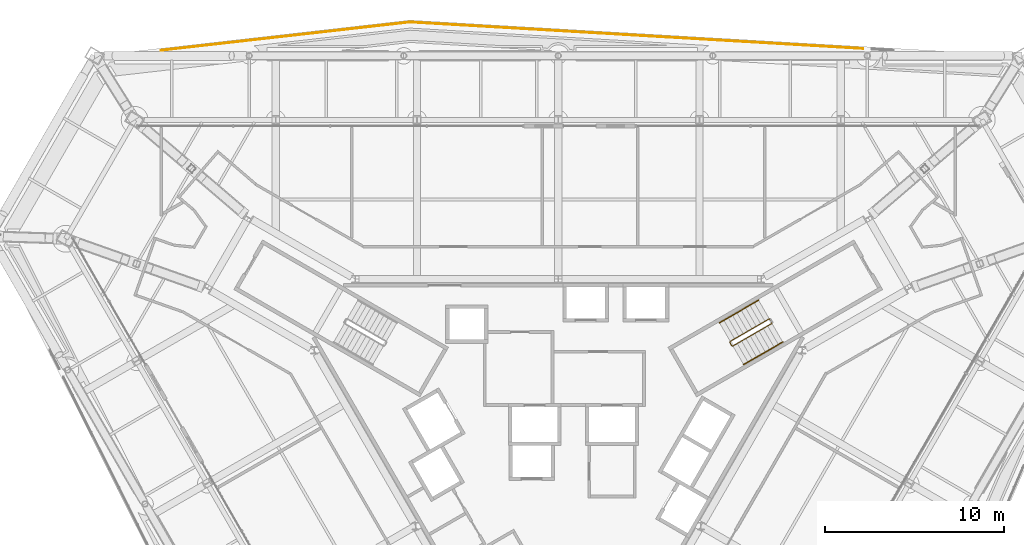
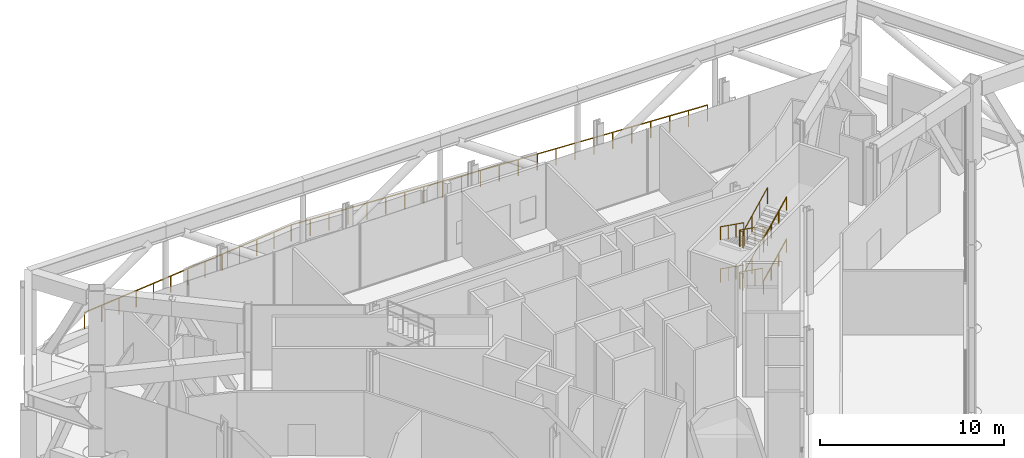
# One storey, part 25 of 26: 6 railings.
"""IFC4 building model written with IfcOpenShell, lengths in metres."""

import ifcopenshell
import ifcopenshell.guid

model = None  # the IFC model being written
_history = None  # IfcOwnerHistory: only IFC2X3 demands one
_inside = {}  # id of a spatial element -> (the spatial element, [elements in it])
_under = {}  # id of a project, library or spatial element -> (it, [spatial elements below it])
_declared = {}  # id of a project -> (the project, [libraries it declares])
_typed = {}  # id of a type object -> (the type object, [elements of that type])
_made_of = {}  # id of a material, layer set ... -> (it, [elements and type objects made of it])


def new_model(schema):
    """Start an empty IFC model of exactly this schema.

    Asked for "IFC4X3", IfcOpenShell would pick the latest addendum, in which some entities
    have other attributes; the version numbers below select the first issue.
    IFC2X3 requires an IfcOwnerHistory on every rooted entity: one is made here for all.
    """
    global model, _history
    if schema == "IFC4X3":
        model = ifcopenshell.file(schema_version=(4, 3, 0, 0))
    else:
        model = ifcopenshell.file(schema=schema)
    _inside.clear()
    _under.clear()
    _declared.clear()
    _typed.clear()
    _made_of.clear()
    _history = None
    if model.schema == "IFC2X3":
        org = make("IfcOrganization", Name="unknown")
        user = make(
            "IfcPersonAndOrganization",
            ThePerson=make("IfcPerson", FamilyName="unknown"),
            TheOrganization=org,
        )
        app = make(
            "IfcApplication",
            ApplicationDeveloper=org,
            Version="unknown",
            ApplicationFullName="unknown",
            ApplicationIdentifier="unknown",
        )
        _history = make(
            "IfcOwnerHistory",
            OwningUser=user,
            OwningApplication=app,
            ChangeAction="ADDED",
            CreationDate=0,
        )
    return model


def make(cls, **values):
    """One entity of the class cls with the attributes given. An attribute that is None is left unset."""
    return model.create_entity(
        cls, **{name: value for name, value in values.items() if value is not None}
    )


def rooted(cls, **values):
    """An entity with a GlobalId (a new one), such as an element, a storey or a relation."""
    return make(cls, GlobalId=ifcopenshell.guid.new(), OwnerHistory=_history, **values)


def si_unit(unit_type, name, prefix=None):
    """IfcSIUnit, for example si_unit("LENGTHUNIT", "METRE", prefix="MILLI")."""
    return make("IfcSIUnit", UnitType=unit_type, Prefix=prefix, Name=name)


def assignment(units):
    """IfcUnitAssignment: the units of a project."""
    return None if units is None else make("IfcUnitAssignment", Units=units)


def point(xyz):
    """IfcCartesianPoint."""
    return None if xyz is None else make("IfcCartesianPoint", Coordinates=xyz)


def direction(xyz):
    """IfcDirection."""
    return None if xyz is None else make("IfcDirection", DirectionRatios=xyz)


def frame(location, z_axis=None, x_axis=None):
    """IfcAxis2Placement3D, a coordinate frame: its origin and axes. An axis left out is left unset."""
    return make(
        "IfcAxis2Placement3D",
        Location=point(location),
        Axis=direction(z_axis),
        RefDirection=direction(x_axis),
    )


def frame_2d(location, x_axis=None):
    """IfcAxis2Placement2D, a coordinate frame in the plane: its origin and x axis."""
    return make(
        "IfcAxis2Placement2D", Location=point(location), RefDirection=direction(x_axis)
    )


def origin():
    """The frame at (0, 0, 0) with its axes left unset."""
    return frame((0.0, 0.0, 0.0))


def origin_2d():
    """The frame at (0, 0) in the plane with its x axis left unset."""
    return frame_2d((0.0, 0.0))


def place(relative_to, where):
    """IfcLocalPlacement: puts the frame where relative to a parent placement (None: the world)."""
    return make(
        "IfcLocalPlacement", PlacementRelTo=relative_to, RelativePlacement=where
    )


def context(
    kind, dimensions, precision=None, world=None, true_north=None, identifier=None
):
    """IfcGeometricRepresentationContext, for example the 3D "Model" context."""
    return make(
        "IfcGeometricRepresentationContext",
        ContextIdentifier=identifier,
        ContextType=kind,
        CoordinateSpaceDimension=dimensions,
        Precision=precision,
        WorldCoordinateSystem=world,
        TrueNorth=true_north,
    )


def subcontext(parent, identifier, kind, view, scale=None):
    """IfcGeometricRepresentationSubContext, for example "Body" below "Model"."""
    return make(
        "IfcGeometricRepresentationSubContext",
        ContextIdentifier=identifier,
        ContextType=kind,
        ParentContext=parent,
        TargetScale=scale,
        TargetView=view,
    )


def project(units=None, contexts=None):
    """IfcProject with its units and contexts."""
    return rooted(
        "IfcProject",
        Name="project",
        RepresentationContexts=contexts,
        UnitsInContext=assignment(units),
    )


def spatial(cls, under=None, at=None, **own):
    """A site, building, storey or space (cls), placed at a placement, below another one or the project."""
    s = rooted(cls, ObjectPlacement=at, **own)
    if under is not None:
        _under.setdefault(under.id(), (under, []))[1].append(s)
    return s


def profile(cls, at=None, kind="AREA", **sizes):
    """A parametric profile (cls). Its sizes go by their IFC names, for example OverallWidth=200.0."""
    return make(cls, ProfileType=kind, Position=at, **sizes)


def circle(**sizes):
    """IfcCircleProfileDef."""
    return profile("IfcCircleProfileDef", **sizes)


def extrude(swept, where, along, depth):
    """IfcExtrudedAreaSolid: the profile swept, set in the frame where, extruded along a direction by depth."""
    return make(
        "IfcExtrudedAreaSolid",
        SweptArea=swept,
        Position=where,
        ExtrudedDirection=direction(along),
        Depth=depth,
    )


def shape(context_of_items, identifier, shape_type, items):
    """IfcShapeRepresentation: the items that make up one representation, for example the "Body"."""
    return make(
        "IfcShapeRepresentation",
        ContextOfItems=context_of_items,
        RepresentationIdentifier=identifier,
        RepresentationType=shape_type,
        Items=items,
    )


def material(Name=None, Category=None):
    """IfcMaterial."""
    return make("IfcMaterial", Name=Name, Category=Category)


def made_of(thing, what):
    """Note that an element or type object is made of a material, layer set ...; save() writes the relation."""
    if what is not None:
        _made_of.setdefault(what.id(), (what, []))[1].append(thing)
    return thing


def type_object(cls, material=None, **own):
    """A type object (cls), such as IfcWallType, which elements share."""
    return made_of(rooted(cls, **own), material)


def element(
    cls,
    number,
    at=None,
    inside=None,
    cuts=None,
    type_object=None,
    material=None,
    context=None,
    identifier="Body",
    shape_type=None,
    held_by="IfcProductDefinitionShape",
    body=None,
    shapes=None,
    **own,
):
    """One element of the class cls, such as IfcWall. Its Tag is "e" and its number.

    at: its placement. inside: the storey or other place that contains it. cuts: it is an
    opening in that element (IfcRelVoidsElement). A single representation is given by context,
    identifier, shape_type and body (its items); several are given by shapes. held_by: the class
    of the entity that holds the representations. save() writes the other relations.
    """
    e = rooted(cls, Tag="e%d" % number, ObjectPlacement=at, **own)
    if body is not None:
        shapes = [shape(context, identifier, shape_type, body)]
    if shapes is not None:
        e.Representation = make(held_by, Representations=shapes)
    if inside is not None:
        _inside.setdefault(inside.id(), (inside, []))[1].append(e)
    if cuts is not None:
        rooted(
            "IfcRelVoidsElement", RelatingBuildingElement=cuts, RelatedOpeningElement=e
        )
    if type_object is not None:
        _typed.setdefault(type_object.id(), (type_object, []))[1].append(e)
    return made_of(e, material)


def aggregate(whole, parts):
    """IfcRelAggregates: a whole, such as a stair, and the parts it consists of."""
    return rooted("IfcRelAggregates", RelatingObject=whole, RelatedObjects=parts)


def save(model, path):
    """Write the relations noted so far, then the file.

    IfcRelAggregates (storeys below a building ...), IfcRelContainedInSpatialStructure (elements
    in a storey), IfcRelDefinesByType, IfcRelAssociatesMaterial and IfcRelDeclares: one each for
    every whole, place, type object, material and project.
    """
    for whole, parts in _under.values():
        aggregate(whole, parts)
    for where, things in _inside.values():
        rooted(
            "IfcRelContainedInSpatialStructure",
            RelatedElements=things,
            RelatingStructure=where,
        )
    for kind, things in _typed.values():
        rooted("IfcRelDefinesByType", RelatedObjects=things, RelatingType=kind)
    for what, things in _made_of.values():
        rooted("IfcRelAssociatesMaterial", RelatedObjects=things, RelatingMaterial=what)
    for by, libraries in _declared.values():
        rooted("IfcRelDeclares", RelatingContext=by, RelatedDefinitions=libraries)
    model.write(path)


model = new_model("IFC4")

# Units and contexts
model_context = context("Model", 3, precision=1e-05, world=origin(), true_north=direction((0.0, 1.0)))
body_context = subcontext(model_context, "Body", "Model", "MODEL_VIEW")
ifc_project = project(units=[si_unit("LENGTHUNIT", "METRE"), si_unit("AREAUNIT", "SQUARE_METRE"), si_unit("VOLUMEUNIT", "CUBIC_METRE"), si_unit("PLANEANGLEUNIT", "RADIAN"), si_unit("MASSUNIT", "GRAM", prefix="KILO")], contexts=[model_context])

# Site, building, storey
site_placement = place(None, origin())
site = spatial("IfcSite", under=ifc_project, at=site_placement, CompositionType="ELEMENT")
building_placement = place(site_placement, origin())
building = spatial("IfcBuilding", under=site, at=building_placement, Name="Verrane Prism Tower", CompositionType="ELEMENT")
storey_placement = place(building_placement, frame((0.0, 0.0, 87.199951171875)))
storey = spatial("IfcBuildingStorey", under=building, at=storey_placement, Name="L20", CompositionType="ELEMENT", Elevation=87.199951171875)

# Railings
ifc_material_1 = material(Name="Steel A36 rail and posts, no infill", Category="steel")
railing_type_1 = type_object("IfcRailingType", Name="Stair guard 1100 steel rail and posts", PredefinedType="GUARDRAIL", material=ifc_material_1)
railing_1_placement = place(storey_placement, frame((11.78955078125, 6.97998046875, 0.14013671875)))
element("IfcRailing", 1, at=railing_1_placement, inside=storey, type_object=railing_type_1, Name="Stair 1 guard", PredefinedType="GUARDRAIL", context=body_context, shape_type="SweptSolid", body=[
    extrude(circle(Radius=0.02392578125, at=origin_2d()), frame((0.0, 0.0, 1.076171875), z_axis=(-0.77459271029, -0.44721702403, 0.44721702403), x_axis=(0.500004791531, -0.866022637375, 0.0)), (0.0, 0.0, 1.0), 2.8173828125),
    extrude(circle(Radius=0.02392578125, at=origin_2d()), frame((-2.182373046875, -1.260009765625, 2.3359375), z_axis=(-0.258736085224, -0.965948051503, 0.0), x_axis=(0.965948051503, -0.258736085224, 0.0)), (0.0, 0.0, 1.0), 0.07080078125),
    extrude(circle(Radius=0.02392578125, at=origin_2d()), frame((-2.20068359375, -1.328369140625, 2.3359375), z_axis=(0.500603037456, -0.865676959893, 0.0), x_axis=(0.865676959893, 0.500603037456, 0.0)), (0.0, 0.0, 1.0), 0.199951171875),
    extrude(circle(Radius=0.02392578125, at=origin_2d()), frame((-2.1005859375, -1.50146484375, 2.3359375), z_axis=(0.434774103959, -0.116874759129, 0.892923159743), x_axis=(0.259601060869, 0.965715946433, 0.0)), (0.0, 0.0, 1.0), 0.15673828125),
    extrude(circle(Radius=0.02392578125, at=origin_2d()), frame((-2.032470703125, -1.519775390625, 2.47607421875), z_axis=(0.77459271029, 0.44721702403, 0.44721702403), x_axis=(-0.500004791531, 0.866022637375, 0.0)), (0.0, 0.0, 1.0), 2.8173828125),
    extrude(circle(Radius=0.02392578125, at=origin_2d()), frame((0.14990234375, -0.259765625, 3.73583984375), z_axis=(-0.3199613899, 0.947430582667, 0.0), x_axis=(-0.947430582667, -0.3199613899, 0.0)), (0.0, 0.0, 1.0), 0.2548828125),
    extrude(circle(Radius=0.02392578125, at=origin_2d()), frame((0.068359375, -0.018310546875, 3.73583984375), z_axis=(0.499158860599, -0.866510491504, 0.0), x_axis=(0.866510491504, 0.499158860599, 0.0)), (0.0, 0.0, 1.0), 0.199951171875),
    extrude(circle(Radius=0.02392578125, at=origin_2d()), frame((0.168212890625, -0.191650390625, 3.73583984375), z_axis=(-0.578343615252, 0.65892559938, 0.480973717764), x_axis=(-0.751567565678, -0.659656118156, 0.0)), (0.0, 0.0, 1.0), 0.290771484375),
    extrude(circle(Radius=0.02392578125, at=origin_2d()), frame((0.0, 0.0, 3.8759765625), z_axis=(-0.77459271029, -0.44721702403, 0.44721702403), x_axis=(0.500004791531, -0.866022637375, 0.0)), (0.0, 0.0, 1.0), 2.8173828125),
    extrude(circle(Radius=0.02392578125, at=origin_2d()), frame((-2.182373046875, -1.260009765625, 5.1357421875), z_axis=(-0.258736085224, -0.965948051503, 0.0), x_axis=(0.965948051503, -0.258736085224, 0.0)), (0.0, 0.0, 1.0), 0.07080078125),
    extrude(circle(Radius=0.02392578125, at=origin_2d()), frame((-2.20068359375, -1.328369140625, 5.1357421875), z_axis=(0.500603037456, -0.865676959893, 0.0), x_axis=(0.865676959893, 0.500603037456, 0.0)), (0.0, 0.0, 1.0), 0.199951171875),
    extrude(circle(Radius=0.02392578125, at=origin_2d()), frame((-2.1005859375, -1.50146484375, 5.1357421875), z_axis=(0.434169863327, -0.116712328851, 0.893238356808), x_axis=(0.259601060869, 0.965715946433, 0.0)), (0.0, 0.0, 1.0), 0.156982421875),
    extrude(circle(Radius=0.02392578125, at=origin_2d()), frame((-2.032470703125, -1.519775390625, 5.27587890625), z_axis=(0.77459271029, 0.44721702403, 0.44721702403), x_axis=(-0.500004791531, 0.866022637375, 0.0)), (0.0, 0.0, 1.0), 2.8173828125),
    extrude(circle(Radius=0.02099609375, at=origin_2d()), origin(), (0.0, 0.0, 1.0), 1.052001953125),
    extrude(circle(Radius=0.02099609375, at=origin_2d()), frame((-0.7275390625, -0.419921875, 0.419921875)), (0.0, 0.0, 1.0), 1.052001953125),
    extrude(circle(Radius=0.02099609375, at=origin_2d()), frame((-1.454833984375, -0.840087890625, 0.840087890625)), (0.0, 0.0, 1.0), 1.052001953125),
    extrude(circle(Radius=0.02099609375, at=origin_2d()), frame((-2.182373046875, -1.260009765625, 1.260009765625)), (0.0, 0.0, 1.0), 1.052001953125),
    extrude(circle(Radius=0.02099609375, at=origin_2d()), frame((-2.20068359375, -1.328369140625, 1.260009765625)), (0.0, 0.0, 1.0), 1.052001953125),
    extrude(circle(Radius=0.02099609375, at=origin_2d()), frame((-2.1005859375, -1.50146484375, 1.260009765625)), (0.0, 0.0, 1.0), 1.052001953125),
    extrude(circle(Radius=0.02099609375, at=origin_2d()), frame((-2.032470703125, -1.519775390625, 1.39990234375)), (0.0, 0.0, 1.0), 1.052001953125),
    extrude(circle(Radius=0.02099609375, at=origin_2d()), frame((-1.304931640625, -1.099853515625, 1.81982421875)), (0.0, 0.0, 1.0), 1.052001953125),
    extrude(circle(Radius=0.02099609375, at=origin_2d()), frame((-0.57763671875, -0.6796875, 2.239990234375)), (0.0, 0.0, 1.0), 1.052001953125),
    extrude(circle(Radius=0.02099609375, at=origin_2d()), frame((0.14990234375, -0.259765625, 2.659912109375)), (0.0, 0.0, 1.0), 1.052001953125),
    extrude(circle(Radius=0.02099609375, at=origin_2d()), frame((0.068359375, -0.018310546875, 2.659912109375)), (0.0, 0.0, 1.0), 1.052001953125),
    extrude(circle(Radius=0.02099609375, at=origin_2d()), frame((0.168212890625, -0.191650390625, 2.659912109375)), (0.0, 0.0, 1.0), 1.052001953125),
    extrude(circle(Radius=0.02099609375, at=origin_2d()), frame((0.0, 0.0, 2.7998046875)), (0.0, 0.0, 1.0), 1.052001953125),
    extrude(circle(Radius=0.02099609375, at=origin_2d()), frame((-0.7275390625, -0.419921875, 3.2197265625)), (0.0, 0.0, 1.0), 1.052001953125),
    extrude(circle(Radius=0.02099609375, at=origin_2d()), frame((-1.454833984375, -0.840087890625, 3.639892578125)), (0.0, 0.0, 1.0), 1.052001953125),
    extrude(circle(Radius=0.02099609375, at=origin_2d()), frame((-2.182373046875, -1.260009765625, 4.059814453125)), (0.0, 0.0, 1.0), 1.052001953125),
    extrude(circle(Radius=0.02099609375, at=origin_2d()), frame((-2.20068359375, -1.328369140625, 4.059814453125)), (0.0, 0.0, 1.0), 1.052001953125),
    extrude(circle(Radius=0.02099609375, at=origin_2d()), frame((-2.1005859375, -1.50146484375, 4.059814453125)), (0.0, 0.0, 1.0), 1.052001953125),
    extrude(circle(Radius=0.02099609375, at=origin_2d()), frame((-2.032470703125, -1.519775390625, 4.199951171875)), (0.0, 0.0, 1.0), 1.052001953125),
    extrude(circle(Radius=0.02099609375, at=origin_2d()), frame((-1.304931640625, -1.099853515625, 4.619873046875)), (0.0, 0.0, 1.0), 1.052001953125),
    extrude(circle(Radius=0.02099609375, at=origin_2d()), frame((-0.57763671875, -0.6796875, 5.0400390625)), (0.0, 0.0, 1.0), 1.052001953125),
    extrude(circle(Radius=0.02099609375, at=origin_2d()), frame((0.14990234375, -0.259765625, 5.4599609375)), (0.0, 0.0, 1.0), 1.052001953125),
])
ifc_material_2 = material(Name="Steel A36 tube", Category="steel")
railing_type_2 = type_object("IfcRailingType", Name="Stair handrail 900 steel tube", PredefinedType="HANDRAIL", material=ifc_material_2)
railing_2_placement = place(storey_placement, frame((11.189453125, 8.01904296875, 0.14013671875)))
element("IfcRailing", 2, at=railing_2_placement, inside=storey, type_object=railing_type_2, Name="Stair 1 handrail", PredefinedType="HANDRAIL", context=body_context, shape_type="SweptSolid", body=[
    extrude(circle(Radius=0.02392578125, at=origin_2d()), frame((0.0, 0.0, 0.8759765625), z_axis=(-0.77459271029, -0.44721702403, 0.44721702403), x_axis=(0.500004791531, -0.866022637375, 0.0)), (0.0, 0.0, 1.0), 2.8173828125),
    extrude(circle(Radius=0.02099609375, at=origin_2d()), origin(), (0.0, 0.0, 1.0), 0.851806640625),
    extrude(circle(Radius=0.02099609375, at=origin_2d()), frame((-0.7275390625, -0.419921875, 0.419921875)), (0.0, 0.0, 1.0), 0.851806640625),
    extrude(circle(Radius=0.02099609375, at=origin_2d()), frame((-1.454833984375, -0.840087890625, 0.840087890625)), (0.0, 0.0, 1.0), 0.851806640625),
    extrude(circle(Radius=0.02099609375, at=origin_2d()), frame((-2.182373046875, -1.260009765625, 1.260009765625)), (0.0, 0.0, 1.0), 0.851806640625),
])
railing_3_placement = place(storey_placement, frame((10.357177734375, 4.4208984375, 1.5400390625)))
element("IfcRailing", 3, at=railing_3_placement, inside=storey, type_object=railing_type_2, Name="Stair 1 handrail", PredefinedType="HANDRAIL", context=body_context, shape_type="SweptSolid", body=[
    extrude(circle(Radius=0.02392578125, at=origin_2d()), frame((0.0, 0.0, 0.8759765625), z_axis=(0.77459271029, 0.44721702403, 0.44721702403), x_axis=(-0.500004791531, 0.866022637375, 0.0)), (0.0, 0.0, 1.0), 2.8173828125),
    extrude(circle(Radius=0.02099609375, at=origin_2d()), origin(), (0.0, 0.0, 1.0), 0.851806640625),
    extrude(circle(Radius=0.02099609375, at=origin_2d()), frame((0.7275390625, 0.419921875, 0.419921875)), (0.0, 0.0, 1.0), 0.851806640625),
    extrude(circle(Radius=0.02099609375, at=origin_2d()), frame((1.454833984375, 0.840087890625, 0.840087890625)), (0.0, 0.0, 1.0), 0.851806640625),
    extrude(circle(Radius=0.02099609375, at=origin_2d()), frame((2.182373046875, 1.260009765625, 1.260009765625)), (0.0, 0.0, 1.0), 0.851806640625),
])
railing_4_placement = place(storey_placement, frame((11.189453125, 8.01904296875, 2.93994140625)))
element("IfcRailing", 4, at=railing_4_placement, inside=storey, type_object=railing_type_2, Name="Stair 1 handrail", PredefinedType="HANDRAIL", context=body_context, shape_type="SweptSolid", body=[
    extrude(circle(Radius=0.02392578125, at=origin_2d()), frame((0.0, 0.0, 0.8759765625), z_axis=(-0.77459271029, -0.44721702403, 0.44721702403), x_axis=(0.500004791531, -0.866022637375, 0.0)), (0.0, 0.0, 1.0), 2.8173828125),
    extrude(circle(Radius=0.02099609375, at=origin_2d()), origin(), (0.0, 0.0, 1.0), 0.851806640625),
    extrude(circle(Radius=0.02099609375, at=origin_2d()), frame((-0.7275390625, -0.419921875, 0.419921875)), (0.0, 0.0, 1.0), 0.851806640625),
    extrude(circle(Radius=0.02099609375, at=origin_2d()), frame((-1.454833984375, -0.840087890625, 0.840087890625)), (0.0, 0.0, 1.0), 0.851806640625),
    extrude(circle(Radius=0.02099609375, at=origin_2d()), frame((-2.182373046875, -1.260009765625, 1.260009765625)), (0.0, 0.0, 1.0), 0.851806640625),
])
railing_5_placement = place(storey_placement, frame((10.357177734375, 4.4208984375, 4.340087890625)))
element("IfcRailing", 5, at=railing_5_placement, inside=storey, type_object=railing_type_2, Name="Stair 1 handrail", PredefinedType="HANDRAIL", context=body_context, shape_type="SweptSolid", body=[
    extrude(circle(Radius=0.02392578125, at=origin_2d()), frame((0.0, 0.0, 0.8759765625), z_axis=(0.77459271029, 0.44721702403, 0.44721702403), x_axis=(-0.500004791531, 0.866022637375, 0.0)), (0.0, 0.0, 1.0), 2.8173828125),
    extrude(circle(Radius=0.02099609375, at=origin_2d()), origin(), (0.0, 0.0, 1.0), 0.851806640625),
    extrude(circle(Radius=0.02099609375, at=origin_2d()), frame((0.7275390625, 0.419921875, 0.419921875)), (0.0, 0.0, 1.0), 0.851806640625),
    extrude(circle(Radius=0.02099609375, at=origin_2d()), frame((1.454833984375, 0.840087890625, 0.840087890625)), (0.0, 0.0, 1.0), 0.851806640625),
    extrude(circle(Radius=0.02099609375, at=origin_2d()), frame((2.182373046875, 1.260009765625, 1.260009765625)), (0.0, 0.0, 1.0), 0.851806640625),
])
ifc_material_3 = material(Name="Stainless steel and laminated glass", Category="steel")
railing_type_3 = type_object("IfcRailingType", Name="Terrace guard 1100", PredefinedType="GUARDRAIL", material=ifc_material_3)
railing_6_placement = place(storey_placement, frame((17.026611328125, 22.068603515625, 0.0)))
element("IfcRailing", 6, at=railing_6_placement, inside=storey, type_object=railing_type_3, Name="Terrace guard L20 2", PredefinedType="GUARDRAIL", context=body_context, shape_type="SweptSolid", body=[
    extrude(circle(Radius=0.02392578125, at=origin_2d()), frame((0.0, 0.0, 1.076171875), z_axis=(-0.998292488865, 0.058413240578, 0.0), x_axis=(-0.058413240578, -0.998292488865, 0.0)), (0.0, 0.0, 1.0), 25.35302734375),
    extrude(circle(Radius=0.02392578125, at=origin_2d()), frame((-25.309814453125, 1.48095703125, 1.076171875), z_axis=(-0.99361192396, -0.112850983886, 0.0), x_axis=(0.112850983886, -0.99361192396, 0.0)), (0.0, 0.0, 1.0), 13.9970703125),
    extrude(circle(Radius=0.02099609375, at=origin_2d()), origin(), (0.0, 0.0, 1.0), 1.052001953125),
    extrude(circle(Radius=0.02099609375, at=origin_2d()), frame((-1.150390625, 0.0673828125, 0.0)), (0.0, 0.0, 1.0), 1.052001953125),
    extrude(circle(Radius=0.02099609375, at=origin_2d()), frame((-2.30078125, 0.134521484375, 0.0)), (0.0, 0.0, 1.0), 1.052001953125),
    extrude(circle(Radius=0.02099609375, at=origin_2d()), frame((-3.451416015625, 0.201904296875, 0.0)), (0.0, 0.0, 1.0), 1.052001953125),
    extrude(circle(Radius=0.02099609375, at=origin_2d()), frame((-4.601806640625, 0.269287109375, 0.0)), (0.0, 0.0, 1.0), 1.052001953125),
    extrude(circle(Radius=0.02099609375, at=origin_2d()), frame((-5.752197265625, 0.336669921875, 0.0)), (0.0, 0.0, 1.0), 1.052001953125),
    extrude(circle(Radius=0.02099609375, at=origin_2d()), frame((-6.902587890625, 0.40380859375, 0.0)), (0.0, 0.0, 1.0), 1.052001953125),
    extrude(circle(Radius=0.02099609375, at=origin_2d()), frame((-8.05322265625, 0.47119140625, 0.0)), (0.0, 0.0, 1.0), 1.052001953125),
    extrude(circle(Radius=0.02099609375, at=origin_2d()), frame((-9.20361328125, 0.53857421875, 0.0)), (0.0, 0.0, 1.0), 1.052001953125),
    extrude(circle(Radius=0.02099609375, at=origin_2d()), frame((-10.35400390625, 0.60595703125, 0.0)), (0.0, 0.0, 1.0), 1.052001953125),
    extrude(circle(Radius=0.02099609375, at=origin_2d()), frame((-11.50439453125, 0.673095703125, 0.0)), (0.0, 0.0, 1.0), 1.052001953125),
    extrude(circle(Radius=0.02099609375, at=origin_2d()), frame((-12.65478515625, 0.740478515625, 0.0)), (0.0, 0.0, 1.0), 1.052001953125),
    extrude(circle(Radius=0.02099609375, at=origin_2d()), frame((-13.805419921875, 0.807861328125, 0.0)), (0.0, 0.0, 1.0), 1.052001953125),
    extrude(circle(Radius=0.02099609375, at=origin_2d()), frame((-14.955810546875, 0.875, 0.0)), (0.0, 0.0, 1.0), 1.052001953125),
    extrude(circle(Radius=0.02099609375, at=origin_2d()), frame((-16.106201171875, 0.9423828125, 0.0)), (0.0, 0.0, 1.0), 1.052001953125),
    extrude(circle(Radius=0.02099609375, at=origin_2d()), frame((-17.256591796875, 1.009765625, 0.0)), (0.0, 0.0, 1.0), 1.052001953125),
    extrude(circle(Radius=0.02099609375, at=origin_2d()), frame((-18.4072265625, 1.0771484375, 0.0)), (0.0, 0.0, 1.0), 1.052001953125),
    extrude(circle(Radius=0.02099609375, at=origin_2d()), frame((-19.5576171875, 1.144287109375, 0.0)), (0.0, 0.0, 1.0), 1.052001953125),
    extrude(circle(Radius=0.02099609375, at=origin_2d()), frame((-20.7080078125, 1.211669921875, 0.0)), (0.0, 0.0, 1.0), 1.052001953125),
    extrude(circle(Radius=0.02099609375, at=origin_2d()), frame((-21.8583984375, 1.279052734375, 0.0)), (0.0, 0.0, 1.0), 1.052001953125),
    extrude(circle(Radius=0.02099609375, at=origin_2d()), frame((-23.009033203125, 1.346435546875, 0.0)), (0.0, 0.0, 1.0), 1.052001953125),
    extrude(circle(Radius=0.02099609375, at=origin_2d()), frame((-24.159423828125, 1.41357421875, 0.0)), (0.0, 0.0, 1.0), 1.052001953125),
    extrude(circle(Radius=0.02099609375, at=origin_2d()), frame((-25.309814453125, 1.48095703125, 0.0)), (0.0, 0.0, 1.0), 1.052001953125),
    extrude(circle(Radius=0.02099609375, at=origin_2d()), frame((-26.46875, 1.349365234375, 0.0)), (0.0, 0.0, 1.0), 1.052001953125),
    extrude(circle(Radius=0.02099609375, at=origin_2d()), frame((-27.627685546875, 1.2177734375, 0.0)), (0.0, 0.0, 1.0), 1.052001953125),
    extrude(circle(Radius=0.02099609375, at=origin_2d()), frame((-28.78662109375, 1.0859375, 0.0)), (0.0, 0.0, 1.0), 1.052001953125),
    extrude(circle(Radius=0.02099609375, at=origin_2d()), frame((-29.94580078125, 0.954345703125, 0.0)), (0.0, 0.0, 1.0), 1.052001953125),
    extrude(circle(Radius=0.02099609375, at=origin_2d()), frame((-31.104736328125, 0.82275390625, 0.0)), (0.0, 0.0, 1.0), 1.052001953125),
    extrude(circle(Radius=0.02099609375, at=origin_2d()), frame((-32.263671875, 0.691162109375, 0.0)), (0.0, 0.0, 1.0), 1.052001953125),
    extrude(circle(Radius=0.02099609375, at=origin_2d()), frame((-33.422607421875, 0.5595703125, 0.0)), (0.0, 0.0, 1.0), 1.052001953125),
    extrude(circle(Radius=0.02099609375, at=origin_2d()), frame((-34.58154296875, 0.427978515625, 0.0)), (0.0, 0.0, 1.0), 1.052001953125),
    extrude(circle(Radius=0.02099609375, at=origin_2d()), frame((-35.74072265625, 0.29638671875, 0.0)), (0.0, 0.0, 1.0), 1.052001953125),
    extrude(circle(Radius=0.02099609375, at=origin_2d()), frame((-36.899658203125, 0.16455078125, 0.0)), (0.0, 0.0, 1.0), 1.052001953125),
    extrude(circle(Radius=0.02099609375, at=origin_2d()), frame((-38.05859375, 0.032958984375, 0.0)), (0.0, 0.0, 1.0), 1.052001953125),
    extrude(circle(Radius=0.02099609375, at=origin_2d()), frame((-39.217529296875, -0.0986328125, 0.0)), (0.0, 0.0, 1.0), 1.052001953125),
])

save(model, "model.ifc")
